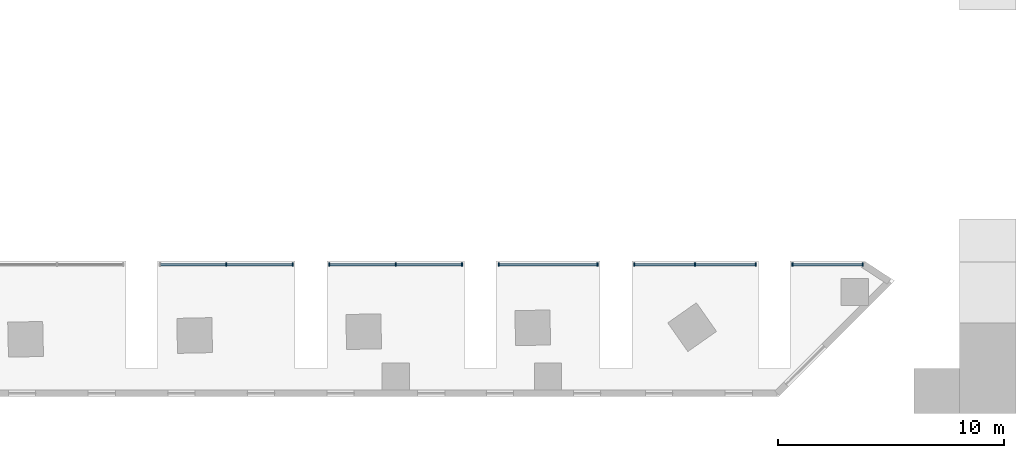
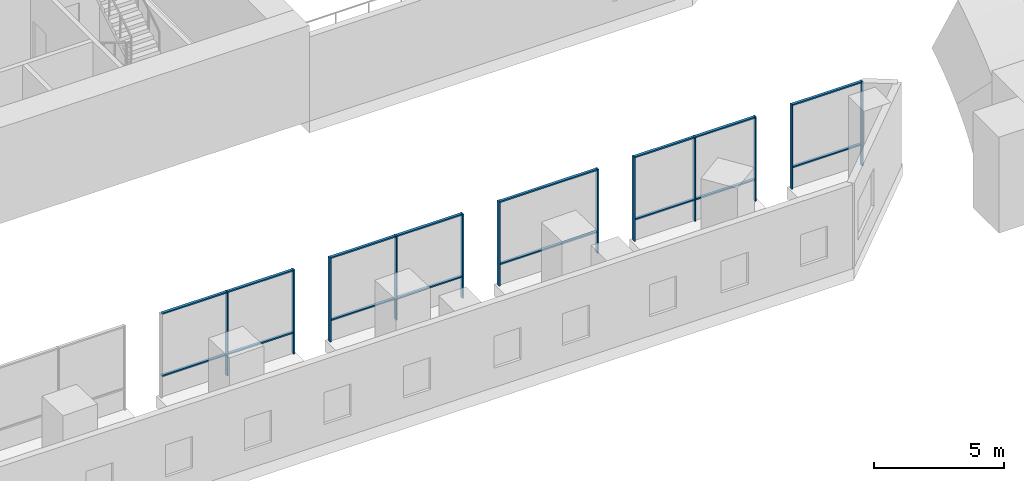
# One storey, part 3 of 12: 28 members, 5 elements without a shape of their own.
"""IFC4 building model written with IfcOpenShell, lengths in metres."""

from ifc_helpers import new_model, si_unit, direction, frame, origin, origin_2d, place, context, subcontext, project, spatial, rectangle, extrude, material, material_profile, profile_set, type_object, element, aggregate, save


model = new_model("IFC4")

# Units and contexts
model_context = context("Model", 3, precision=1e-05, world=origin(), true_north=direction((0.0, 1.0)))
body_context = subcontext(model_context, "Body", "Model", "MODEL_VIEW")
ifc_project = project(units=[si_unit("LENGTHUNIT", "METRE"), si_unit("AREAUNIT", "SQUARE_METRE"), si_unit("VOLUMEUNIT", "CUBIC_METRE"), si_unit("PLANEANGLEUNIT", "RADIAN"), si_unit("MASSUNIT", "GRAM", prefix="KILO")], contexts=[model_context])

# Site, building, storey
site_placement = place(None, origin())
site = spatial("IfcSite", under=ifc_project, at=site_placement, CompositionType="ELEMENT")
building_placement = place(site_placement, origin())
building = spatial("IfcBuilding", under=site, at=building_placement, Name="Mangrove Gate Tower", CompositionType="ELEMENT")
storey_placement = place(building_placement, frame((0.0, 0.0, 16.0)))
storey = spatial("IfcBuildingStorey", under=building, at=storey_placement, Name="L03", CompositionType="ELEMENT", Elevation=16.0)

# Curtain wall, members
ifc_material_1 = material(Name="Aluminium and glass curtain wall", Category="aluminium")
curtain_wall_type = type_object("IfcCurtainWallType", Name="Podium amenity glazing wall", PredefinedType="NOTDEFINED", material=ifc_material_1)
curtain_wall_1_placement = place(storey_placement, origin())
curtain_wall_1 = element("IfcCurtainWall", 1, at=curtain_wall_1_placement, inside=storey, type_object=curtain_wall_type, Name="Podium amenity glazing N1", PredefinedType="NOTDEFINED")
ifc_material_2 = material(Name="Aluminium alloy 6063-T6", Category="aluminium")
ifc_material_profile_1 = material_profile(ifc_material_2, rectangle(XDim=0.06005859375, YDim=0.159912109375, at=origin_2d()))
ifc_profile_set_1 = profile_set([ifc_material_profile_1], Name="Aluminium alloy 6063-T6")
member_type_1 = type_object("IfcMemberType", Name="Podium amenity glazing mullion 60x160", PredefinedType="MULLION", material=ifc_profile_set_1)
member_1_placement = place(storey_placement, frame((31.92529296875, -25.14990234375, 0.0), z_axis=(0.0, 0.0, 1.0), x_axis=(-1.0, 0.0, 0.0)))
member_1 = element("IfcMember", 2, at=member_1_placement, type_object=member_type_1, Name="CWP mullion 1", PredefinedType="MULLION", context=body_context, shape_type="SweptSolid", body=[
    extrude(rectangle(XDim=0.06005859375, YDim=0.159912109375, at=origin_2d()), origin(), (0.0, 0.0, 1.0), 3.949951171875),
])
member_2_placement = place(storey_placement, frame((28.81005859375, -25.14990234375, 0.0), z_axis=(0.0, 0.0, 1.0), x_axis=(-1.0, 0.0, 0.0)))
member_2 = element("IfcMember", 3, at=member_2_placement, type_object=member_type_1, Name="CWP mullion 2", PredefinedType="MULLION", context=body_context, shape_type="SweptSolid", body=[
    extrude(rectangle(XDim=0.06005859375, YDim=0.159912109375, at=origin_2d()), origin(), (0.0, 0.0, 1.0), 3.949951171875),
])

curtain_wall_2_placement = place(storey_placement, origin())
curtain_wall_2 = element("IfcCurtainWall", 4, at=curtain_wall_2_placement, inside=storey, type_object=curtain_wall_type, Name="Podium amenity glazing N4011", PredefinedType="NOTDEFINED")
member_3_placement = place(storey_placement, frame((27.18994140625, -25.14990234375, 0.0), z_axis=(0.0, 0.0, 1.0), x_axis=(-1.0, 0.0, 0.0)))
member_3 = element("IfcMember", 5, at=member_3_placement, type_object=member_type_1, Name="CWP mullion 1", PredefinedType="MULLION", context=body_context, shape_type="SweptSolid", body=[
    extrude(rectangle(XDim=0.06005859375, YDim=0.159912109375, at=origin_2d()), origin(), (0.0, 0.0, 1.0), 3.949951171875),
])
member_4_placement = place(storey_placement, frame((24.5, -25.14990234375, 0.0), z_axis=(0.0, 0.0, 1.0), x_axis=(-1.0, 0.0, 0.0)))
member_4 = element("IfcMember", 6, at=member_4_placement, type_object=member_type_1, Name="CWP mullion 2", PredefinedType="MULLION", context=body_context, shape_type="SweptSolid", body=[
    extrude(rectangle(XDim=0.06005859375, YDim=0.159912109375, at=origin_2d()), origin(), (0.0, 0.0, 1.0), 3.949951171875),
])
member_5_placement = place(storey_placement, frame((21.81005859375, -25.14990234375, 0.0), z_axis=(0.0, 0.0, 1.0), x_axis=(-1.0, 0.0, 0.0)))
member_5 = element("IfcMember", 7, at=member_5_placement, type_object=member_type_1, Name="CWP mullion 3", PredefinedType="MULLION", context=body_context, shape_type="SweptSolid", body=[
    extrude(rectangle(XDim=0.06005859375, YDim=0.159912109375, at=origin_2d()), origin(), (0.0, 0.0, 1.0), 3.949951171875),
])

curtain_wall_3_placement = place(storey_placement, origin())
curtain_wall_3 = element("IfcCurtainWall", 8, at=curtain_wall_3_placement, inside=storey, type_object=curtain_wall_type, Name="Podium amenity glazing N4012", PredefinedType="NOTDEFINED")
member_6_placement = place(storey_placement, frame((20.18994140625, -25.14990234375, 0.0), z_axis=(0.0, 0.0, 1.0), x_axis=(-1.0, 0.0, 0.0)))
member_6 = element("IfcMember", 9, at=member_6_placement, type_object=member_type_1, Name="CWP mullion 1", PredefinedType="MULLION", context=body_context, shape_type="SweptSolid", body=[
    extrude(rectangle(XDim=0.06005859375, YDim=0.159912109375, at=origin_2d()), origin(), (0.0, 0.0, 1.0), 3.949951171875),
])
member_7_placement = place(storey_placement, frame((15.81005859375, -25.14990234375, 0.0), z_axis=(0.0, 0.0, 1.0), x_axis=(-1.0, 0.0, 0.0)))
member_7 = element("IfcMember", 10, at=member_7_placement, type_object=member_type_1, Name="CWP mullion 2", PredefinedType="MULLION", context=body_context, shape_type="SweptSolid", body=[
    extrude(rectangle(XDim=0.06005859375, YDim=0.159912109375, at=origin_2d()), origin(), (0.0, 0.0, 1.0), 3.949951171875),
])

curtain_wall_4_placement = place(storey_placement, origin())
curtain_wall_4 = element("IfcCurtainWall", 11, at=curtain_wall_4_placement, inside=storey, type_object=curtain_wall_type, Name="Podium amenity glazing N4013", PredefinedType="NOTDEFINED")
member_8_placement = place(storey_placement, frame((14.18994140625, -25.14990234375, 0.0), z_axis=(0.0, 0.0, 1.0), x_axis=(-1.0, 0.0, 0.0)))
member_8 = element("IfcMember", 12, at=member_8_placement, type_object=member_type_1, Name="CWP mullion 1", PredefinedType="MULLION", context=body_context, shape_type="SweptSolid", body=[
    extrude(rectangle(XDim=0.06005859375, YDim=0.159912109375, at=origin_2d()), origin(), (0.0, 0.0, 1.0), 3.949951171875),
])
member_9_placement = place(storey_placement, frame((11.25, -25.14990234375, 0.0), z_axis=(0.0, 0.0, 1.0), x_axis=(-1.0, 0.0, 0.0)))
member_9 = element("IfcMember", 13, at=member_9_placement, type_object=member_type_1, Name="CWP mullion 2", PredefinedType="MULLION", context=body_context, shape_type="SweptSolid", body=[
    extrude(rectangle(XDim=0.06005859375, YDim=0.159912109375, at=origin_2d()), origin(), (0.0, 0.0, 1.0), 3.949951171875),
])
member_10_placement = place(storey_placement, frame((8.31005859375, -25.14990234375, 0.0), z_axis=(0.0, 0.0, 1.0), x_axis=(-1.0, 0.0, 0.0)))
member_10 = element("IfcMember", 14, at=member_10_placement, type_object=member_type_1, Name="CWP mullion 3", PredefinedType="MULLION", context=body_context, shape_type="SweptSolid", body=[
    extrude(rectangle(XDim=0.06005859375, YDim=0.159912109375, at=origin_2d()), origin(), (0.0, 0.0, 1.0), 3.949951171875),
])

curtain_wall_5_placement = place(storey_placement, origin())
curtain_wall_5 = element("IfcCurtainWall", 15, at=curtain_wall_5_placement, inside=storey, type_object=curtain_wall_type, Name="Podium amenity glazing N4014", PredefinedType="NOTDEFINED")
member_11_placement = place(storey_placement, frame((6.68994140625, -25.14990234375, 0.0), z_axis=(0.0, 0.0, 1.0), x_axis=(-1.0, 0.0, 0.0)))
member_11 = element("IfcMember", 16, at=member_11_placement, type_object=member_type_1, Name="CWP mullion 1", PredefinedType="MULLION", context=body_context, shape_type="SweptSolid", body=[
    extrude(rectangle(XDim=0.06005859375, YDim=0.159912109375, at=origin_2d()), origin(), (0.0, 0.0, 1.0), 3.949951171875),
])
member_12_placement = place(storey_placement, frame((3.75, -25.14990234375, 0.0), z_axis=(0.0, 0.0, 1.0), x_axis=(-1.0, 0.0, 0.0)))
member_12 = element("IfcMember", 17, at=member_12_placement, type_object=member_type_1, Name="CWP mullion 2", PredefinedType="MULLION", context=body_context, shape_type="SweptSolid", body=[
    extrude(rectangle(XDim=0.06005859375, YDim=0.159912109375, at=origin_2d()), origin(), (0.0, 0.0, 1.0), 3.949951171875),
])

# Member
ifc_material_3 = material(Name="Aluminium alloy 6063-T6", Category="aluminium")
ifc_material_profile_2 = material_profile(ifc_material_3, rectangle(XDim=0.06005859375, YDim=0.1201171875, at=origin_2d()))
ifc_profile_set_2 = profile_set([ifc_material_profile_2], Name="Aluminium alloy 6063-T6")
member_type_2 = type_object("IfcMemberType", Name="Podium amenity glazing transom 60x120", PredefinedType="USERDEFINED", material=ifc_profile_set_2)
member_13_placement = place(storey_placement, frame((31.895263671875, -25.14990234375, 1.0), z_axis=(-1.0, 0.0, 0.0), x_axis=(0.0, 0.0, 1.0)))
member_13 = element("IfcMember", 18, at=member_13_placement, type_object=member_type_2, Name="CWP transom 1.2", ObjectType="TRANSOM", PredefinedType="USERDEFINED", context=body_context, shape_type="SweptSolid", body=[
    extrude(rectangle(XDim=0.06005859375, YDim=0.1201171875, at=origin_2d()), origin(), (0.0, 0.0, 1.0), 3.05517578125),
])

member_14_placement = place(storey_placement, frame((31.895263671875, -25.14990234375, 3.919921875), z_axis=(-1.0, 0.0, 0.0), x_axis=(0.0, 0.0, 1.0)))
member_14 = element("IfcMember", 19, at=member_14_placement, type_object=member_type_2, Name="CWP transom 1.3", ObjectType="TRANSOM", PredefinedType="USERDEFINED", context=body_context, shape_type="SweptSolid", body=[
    extrude(rectangle(XDim=0.06005859375, YDim=0.1201171875, at=origin_2d()), origin(), (0.0, 0.0, 1.0), 3.05517578125),
])

aggregate(curtain_wall_1, [member_1, member_2, member_13, member_14])

member_15_placement = place(storey_placement, frame((27.159912109375, -25.14990234375, 1.0), z_axis=(-1.0, 0.0, 0.0), x_axis=(0.0, 0.0, 1.0)))
member_15 = element("IfcMember", 20, at=member_15_placement, type_object=member_type_2, Name="CWP transom 1.2", ObjectType="TRANSOM", PredefinedType="USERDEFINED", context=body_context, shape_type="SweptSolid", body=[
    extrude(rectangle(XDim=0.06005859375, YDim=0.1201171875, at=origin_2d()), origin(), (0.0, 0.0, 1.0), 2.6298828125),
])

member_16_placement = place(storey_placement, frame((27.159912109375, -25.14990234375, 3.919921875), z_axis=(-1.0, 0.0, 0.0), x_axis=(0.0, 0.0, 1.0)))
member_16 = element("IfcMember", 21, at=member_16_placement, type_object=member_type_2, Name="CWP transom 1.3", ObjectType="TRANSOM", PredefinedType="USERDEFINED", context=body_context, shape_type="SweptSolid", body=[
    extrude(rectangle(XDim=0.06005859375, YDim=0.1201171875, at=origin_2d()), origin(), (0.0, 0.0, 1.0), 2.6298828125),
])

member_17_placement = place(storey_placement, frame((24.469970703125, -25.14990234375, 1.0), z_axis=(-1.0, 0.0, 0.0), x_axis=(0.0, 0.0, 1.0)))
member_17 = element("IfcMember", 22, at=member_17_placement, type_object=member_type_2, Name="CWP transom 2.2", ObjectType="TRANSOM", PredefinedType="USERDEFINED", context=body_context, shape_type="SweptSolid", body=[
    extrude(rectangle(XDim=0.06005859375, YDim=0.1201171875, at=origin_2d()), origin(), (0.0, 0.0, 1.0), 2.6298828125),
])

member_18_placement = place(storey_placement, frame((24.469970703125, -25.14990234375, 3.919921875), z_axis=(-1.0, 0.0, 0.0), x_axis=(0.0, 0.0, 1.0)))
member_18 = element("IfcMember", 23, at=member_18_placement, type_object=member_type_2, Name="CWP transom 2.3", ObjectType="TRANSOM", PredefinedType="USERDEFINED", context=body_context, shape_type="SweptSolid", body=[
    extrude(rectangle(XDim=0.06005859375, YDim=0.1201171875, at=origin_2d()), origin(), (0.0, 0.0, 1.0), 2.6298828125),
])

aggregate(curtain_wall_2, [member_3, member_4, member_5, member_15, member_16, member_17, member_18])

member_19_placement = place(storey_placement, frame((20.159912109375, -25.14990234375, 1.0), z_axis=(-1.0, 0.0, 0.0), x_axis=(0.0, 0.0, 1.0)))
member_19 = element("IfcMember", 24, at=member_19_placement, type_object=member_type_2, Name="CWP transom 1.2", ObjectType="TRANSOM", PredefinedType="USERDEFINED", context=body_context, shape_type="SweptSolid", body=[
    extrude(rectangle(XDim=0.06005859375, YDim=0.1201171875, at=origin_2d()), origin(), (0.0, 0.0, 1.0), 4.31982421875),
])

member_20_placement = place(storey_placement, frame((20.159912109375, -25.14990234375, 3.919921875), z_axis=(-1.0, 0.0, 0.0), x_axis=(0.0, 0.0, 1.0)))
member_20 = element("IfcMember", 25, at=member_20_placement, type_object=member_type_2, Name="CWP transom 1.3", ObjectType="TRANSOM", PredefinedType="USERDEFINED", context=body_context, shape_type="SweptSolid", body=[
    extrude(rectangle(XDim=0.06005859375, YDim=0.1201171875, at=origin_2d()), origin(), (0.0, 0.0, 1.0), 4.31982421875),
])

aggregate(curtain_wall_3, [member_6, member_7, member_19, member_20])

member_21_placement = place(storey_placement, frame((14.159912109375, -25.14990234375, 1.0), z_axis=(-1.0, 0.0, 0.0), x_axis=(0.0, 0.0, 1.0)))
member_21 = element("IfcMember", 26, at=member_21_placement, type_object=member_type_2, Name="CWP transom 1.2", ObjectType="TRANSOM", PredefinedType="USERDEFINED", context=body_context, shape_type="SweptSolid", body=[
    extrude(rectangle(XDim=0.06005859375, YDim=0.1201171875, at=origin_2d()), origin(), (0.0, 0.0, 1.0), 2.8798828125),
])

member_22_placement = place(storey_placement, frame((14.159912109375, -25.14990234375, 3.919921875), z_axis=(-1.0, 0.0, 0.0), x_axis=(0.0, 0.0, 1.0)))
member_22 = element("IfcMember", 27, at=member_22_placement, type_object=member_type_2, Name="CWP transom 1.3", ObjectType="TRANSOM", PredefinedType="USERDEFINED", context=body_context, shape_type="SweptSolid", body=[
    extrude(rectangle(XDim=0.06005859375, YDim=0.1201171875, at=origin_2d()), origin(), (0.0, 0.0, 1.0), 2.8798828125),
])

member_23_placement = place(storey_placement, frame((11.219970703125, -25.14990234375, 1.0), z_axis=(-1.0, 0.0, 0.0), x_axis=(0.0, 0.0, 1.0)))
member_23 = element("IfcMember", 28, at=member_23_placement, type_object=member_type_2, Name="CWP transom 2.2", ObjectType="TRANSOM", PredefinedType="USERDEFINED", context=body_context, shape_type="SweptSolid", body=[
    extrude(rectangle(XDim=0.06005859375, YDim=0.1201171875, at=origin_2d()), origin(), (0.0, 0.0, 1.0), 2.8798828125),
])

member_24_placement = place(storey_placement, frame((11.219970703125, -25.14990234375, 3.919921875), z_axis=(-1.0, 0.0, 0.0), x_axis=(0.0, 0.0, 1.0)))
member_24 = element("IfcMember", 29, at=member_24_placement, type_object=member_type_2, Name="CWP transom 2.3", ObjectType="TRANSOM", PredefinedType="USERDEFINED", context=body_context, shape_type="SweptSolid", body=[
    extrude(rectangle(XDim=0.06005859375, YDim=0.1201171875, at=origin_2d()), origin(), (0.0, 0.0, 1.0), 2.8798828125),
])

aggregate(curtain_wall_4, [member_8, member_9, member_10, member_21, member_22, member_23, member_24])

member_25_placement = place(storey_placement, frame((6.659912109375, -25.14990234375, 1.0), z_axis=(-1.0, 0.0, 0.0), x_axis=(0.0, 0.0, 1.0)))
member_25 = element("IfcMember", 30, at=member_25_placement, type_object=member_type_2, Name="CWP transom 1.2", ObjectType="TRANSOM", PredefinedType="USERDEFINED", context=body_context, shape_type="SweptSolid", body=[
    extrude(rectangle(XDim=0.06005859375, YDim=0.1201171875, at=origin_2d()), origin(), (0.0, 0.0, 1.0), 2.8798828125),
])

member_26_placement = place(storey_placement, frame((6.659912109375, -25.14990234375, 3.919921875), z_axis=(-1.0, 0.0, 0.0), x_axis=(0.0, 0.0, 1.0)))
member_26 = element("IfcMember", 31, at=member_26_placement, type_object=member_type_2, Name="CWP transom 1.3", ObjectType="TRANSOM", PredefinedType="USERDEFINED", context=body_context, shape_type="SweptSolid", body=[
    extrude(rectangle(XDim=0.06005859375, YDim=0.1201171875, at=origin_2d()), origin(), (0.0, 0.0, 1.0), 2.8798828125),
])

member_27_placement = place(storey_placement, frame((3.719970703125, -25.14990234375, 1.0), z_axis=(-1.0, 0.0, 0.0), x_axis=(0.0, 0.0, 1.0)))
member_27 = element("IfcMember", 32, at=member_27_placement, type_object=member_type_2, Name="CWP transom 2.2", ObjectType="TRANSOM", PredefinedType="USERDEFINED", context=body_context, shape_type="SweptSolid", body=[
    extrude(rectangle(XDim=0.06005859375, YDim=0.1201171875, at=origin_2d()), origin(), (0.0, 0.0, 1.0), 2.8798828125),
])

member_28_placement = place(storey_placement, frame((3.719970703125, -25.14990234375, 3.919921875), z_axis=(-1.0, 0.0, 0.0), x_axis=(0.0, 0.0, 1.0)))
member_28 = element("IfcMember", 33, at=member_28_placement, type_object=member_type_2, Name="CWP transom 2.3", ObjectType="TRANSOM", PredefinedType="USERDEFINED", context=body_context, shape_type="SweptSolid", body=[
    extrude(rectangle(XDim=0.06005859375, YDim=0.1201171875, at=origin_2d()), origin(), (0.0, 0.0, 1.0), 2.8798828125),
])

aggregate(curtain_wall_5, [member_11, member_12, member_25, member_26, member_27, member_28])

save(model, "model.ifc")
